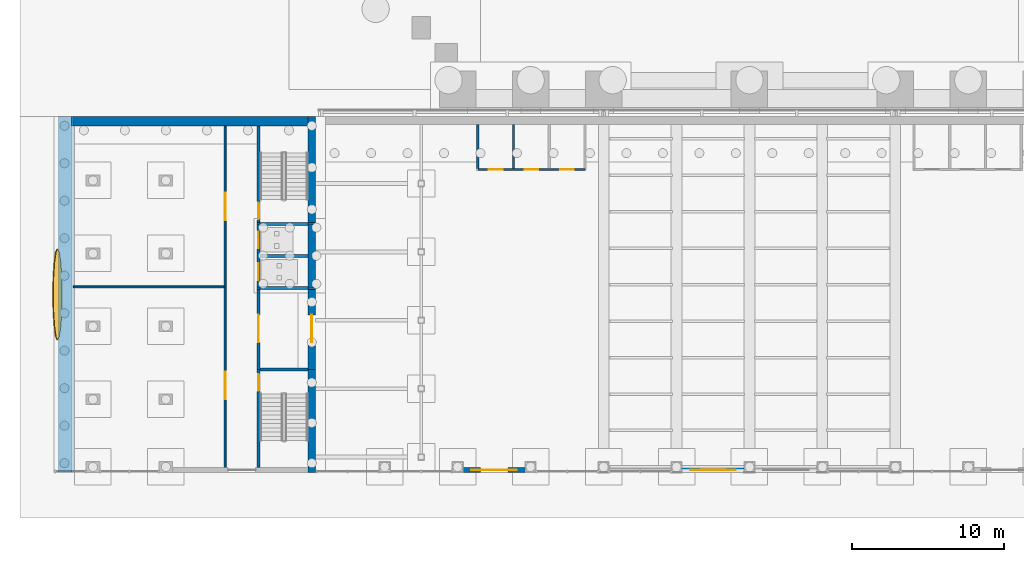
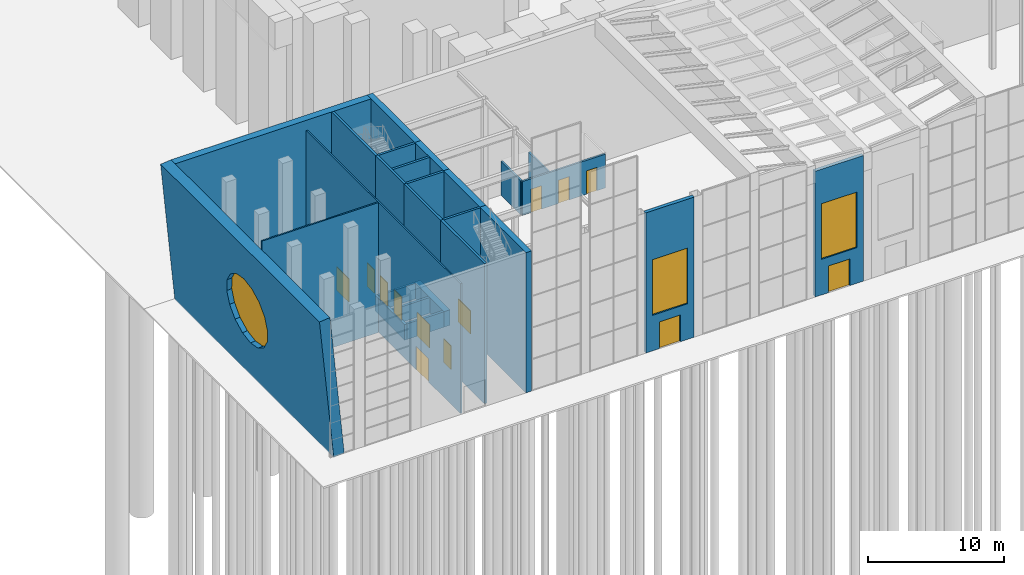
# One storey, part 44 of 58: 26 walls, 13 doors, 3 windows, 16 openings.
"""IFC4 building model written with IfcOpenShell, lengths in metres."""

from ifc_helpers import new_model, si_unit, direction, frame, frame_2d, origin, place, context, subcontext, project, spatial, polyline, rectangle, outline, extrude, material, layer, layer_set, type_object, element, fill, save


model = new_model("IFC4")

# Units and contexts
model_context = context("Model", 3, precision=1e-05, world=origin(), true_north=direction((0.0, 1.0)))
body_context = subcontext(model_context, "Body", "Model", "MODEL_VIEW")
ifc_project = project(units=[si_unit("LENGTHUNIT", "METRE"), si_unit("AREAUNIT", "SQUARE_METRE"), si_unit("VOLUMEUNIT", "CUBIC_METRE"), si_unit("PLANEANGLEUNIT", "RADIAN"), si_unit("MASSUNIT", "GRAM", prefix="KILO")], contexts=[model_context])

# Site, building, storey
site_placement = place(None, origin())
site = spatial("IfcSite", under=ifc_project, at=site_placement, CompositionType="ELEMENT")
building_placement = place(site_placement, origin())
building = spatial("IfcBuilding", under=site, at=building_placement, Name="Baori Bourse Tower", CompositionType="ELEMENT")
storey_placement = place(building_placement, origin())
storey = spatial("IfcBuildingStorey", under=building, at=storey_placement, Name="L00", CompositionType="ELEMENT", Elevation=0.0)

# Wall, openings, door, window
ifc_material_1 = material(Name="Concrete f'c 50 MPa", Category="concrete")
ifc_layer_1 = layer(ifc_material_1, 0.300048828125)
ifc_layer_set_1 = layer_set([ifc_layer_1], Name="Entrance wall 300")
wall_type_1 = type_object("IfcWallType", Name="Entrance wall 300", PredefinedType="SOLIDWALL", material=ifc_layer_set_1)
wall_1_placement = place(storey_placement, frame((14.050048828125, -25.050048828125, 0.0), z_axis=(0.0, 0.0, 1.0), x_axis=(-1.0, 0.0, 0.0)))
wall_1 = element("IfcWall", 1, at=wall_1_placement, inside=storey, type_object=wall_type_1, Name="wing/L00/entwall/001", PredefinedType="SOLIDWALL", context=body_context, shape_type="SweptSolid", body=[
    extrude(rectangle(XDim=4.10009765625, YDim=0.300048828125, at=frame_2d((2.050048828125, 0.0))), origin(), (0.0, 0.0, 1.0), 12.60009765625),
])
opening_1_placement = place(wall_1_placement, frame((1.14990234375, 0.0, 0.0)))
opening_1 = element("IfcOpeningElement", 2, at=opening_1_placement, cuts=wall_1, Name="Opening WGH-L00-01", PredefinedType="OPENING", context=body_context, shape_type="SweptSolid", body=[
    extrude(rectangle(XDim=1.800048828125, YDim=2.39990234375, at=frame_2d((0.89990234375, 1.199951171875))), frame((0.0, 0.159912109375, 0.0), z_axis=(0.0, -1.0, 0.0), x_axis=(1.0, 0.0, 0.0)), (0.0, 0.0, 1.0), 0.320068359375),
])
opening_2_placement = place(wall_1_placement, frame((0.550048828125, 0.0, 3.199951171875)))
opening_2 = element("IfcOpeningElement", 3, at=opening_2_placement, cuts=wall_1, Name="Opening WGHW-2", PredefinedType="OPENING", context=body_context, shape_type="SweptSolid", body=[
    extrude(rectangle(XDim=3.0, YDim=5.0, at=frame_2d((1.5, 2.5))), frame((0.0, 0.159912109375, 0.0), z_axis=(0.0, -1.0, 0.0), x_axis=(1.0, 0.0, 0.0)), (0.0, 0.0, 1.0), 0.320068359375),
])
ifc_material_2 = material(Name="Aluminium and glass door", Category="aluminium")
door_type_1 = type_object("IfcDoorType", Name="Entrance door 1800x2400", OperationType="DOUBLE_DOOR_SINGLE_SWING", PredefinedType="DOOR", material=ifc_material_2)
door_1_placement = place(opening_1_placement, origin())
door_1 = element("IfcDoor", 4, at=door_1_placement, inside=storey, type_object=door_type_1, Name="WGH-L00-01", OperationType="DOUBLE_DOOR_SINGLE_SWING", OverallHeight=2.39990234375, OverallWidth=1.800048828125, PredefinedType="DOOR", context=body_context, shape_type="SweptSolid", body=[
    extrude(rectangle(XDim=1.800048828125, YDim=2.39990234375, at=frame_2d((0.89990234375, 1.199951171875))), frame((0.0, 0.02490234375, 0.0), z_axis=(0.0, -1.0, 0.0), x_axis=(1.0, 0.0, 0.0)), (0.0, 0.0, 1.0), 0.050048828125),
])
fill(opening_1, door_1)
ifc_material_3 = material(Name="Clear glass", Category="glass")
window_type_1 = type_object("IfcWindowType", Name="Entrance transom window 3000", PartitioningType="SINGLE_PANEL", PredefinedType="WINDOW", material=ifc_material_3)
window_1_placement = place(opening_2_placement, origin())
window_1 = element("IfcWindow", 5, at=window_1_placement, inside=storey, type_object=window_type_1, Name="WGHW-2", OverallHeight=5.0, OverallWidth=3.0, PartitioningType="SINGLE_PANEL", PredefinedType="WINDOW", context=body_context, shape_type="SweptSolid", body=[
    extrude(rectangle(XDim=3.0, YDim=5.0, at=frame_2d((1.5, 2.5))), frame((0.0, 0.030029296875, 0.0), z_axis=(0.0, -1.0, 0.0), x_axis=(1.0, 0.0, 0.0)), (0.0, 0.0, 1.0), 0.06005859375),
])
fill(opening_2, window_1)

wall_2_placement = place(storey_placement, frame((28.449951171875, -25.050048828125, 0.0), z_axis=(0.0, 0.0, 1.0), x_axis=(-1.0, 0.0, 0.0)))
wall_2 = element("IfcWall", 6, at=wall_2_placement, inside=storey, type_object=wall_type_1, Name="wing/L00/entwall/002", PredefinedType="SOLIDWALL", context=body_context, shape_type="SweptSolid", body=[
    extrude(rectangle(XDim=4.099853515625, YDim=0.300048828125, at=frame_2d((2.0498046875, 0.0))), origin(), (0.0, 0.0, 1.0), 11.300048828125),
])
opening_3_placement = place(wall_2_placement, frame((1.14990234375, 0.0, 0.0)))
opening_3 = element("IfcOpeningElement", 7, at=opening_3_placement, cuts=wall_2, Name="Opening WGH-L00-02", PredefinedType="OPENING", context=body_context, shape_type="SweptSolid", body=[
    extrude(rectangle(XDim=1.800048828125, YDim=2.39990234375, at=frame_2d((0.89990234375, 1.199951171875))), frame((0.0, 0.159912109375, 0.0), z_axis=(0.0, -1.0, 0.0), x_axis=(1.0, 0.0, 0.0)), (0.0, 0.0, 1.0), 0.320068359375),
])
opening_4_placement = place(wall_2_placement, frame((0.550048828125, 0.0, 3.199951171875)))
opening_4 = element("IfcOpeningElement", 8, at=opening_4_placement, cuts=wall_2, Name="Opening WGHW-5", PredefinedType="OPENING", context=body_context, shape_type="SweptSolid", body=[
    extrude(rectangle(XDim=3.0, YDim=5.0, at=frame_2d((1.5, 2.5))), frame((0.0, 0.159912109375, 0.0), z_axis=(0.0, -1.0, 0.0), x_axis=(1.0, 0.0, 0.0)), (0.0, 0.0, 1.0), 0.320068359375),
])
door_2_placement = place(opening_3_placement, origin())
door_2 = element("IfcDoor", 9, at=door_2_placement, inside=storey, type_object=door_type_1, Name="WGH-L00-02", OperationType="DOUBLE_DOOR_SINGLE_SWING", OverallHeight=2.39990234375, OverallWidth=1.800048828125, PredefinedType="DOOR", context=body_context, shape_type="SweptSolid", body=[
    extrude(rectangle(XDim=1.800048828125, YDim=2.39990234375, at=frame_2d((0.89990234375, 1.199951171875))), frame((0.0, 0.02490234375, 0.0), z_axis=(0.0, -1.0, 0.0), x_axis=(1.0, 0.0, 0.0)), (0.0, 0.0, 1.0), 0.050048828125),
])
fill(opening_3, door_2)
window_2_placement = place(opening_4_placement, origin())
window_2 = element("IfcWindow", 10, at=window_2_placement, inside=storey, type_object=window_type_1, Name="WGHW-5", OverallHeight=5.0, OverallWidth=3.0, PartitioningType="SINGLE_PANEL", PredefinedType="WINDOW", context=body_context, shape_type="SweptSolid", body=[
    extrude(rectangle(XDim=3.0, YDim=5.0, at=frame_2d((1.5, 2.5))), frame((0.0, 0.030029296875, 0.0), z_axis=(0.0, -1.0, 0.0), x_axis=(1.0, 0.0, 0.0)), (0.0, 0.0, 1.0), 0.06005859375),
])
fill(opening_4, window_2)

# Walls
ifc_material_4 = material(Name="Concrete f'c 50 MPa", Category="concrete")
ifc_layer_2 = layer(ifc_material_4, 0.5)
ifc_layer_set_2 = layer_set([ifc_layer_2], Name="Hall end wall 500")
wall_type_2 = type_object("IfcWallType", Name="Hall end wall 500", PredefinedType="SOLIDWALL", material=ifc_layer_set_2)
wall_3_placement = place(storey_placement, frame((0.0, -1.800048828125, 0.0), z_axis=(0.0, 0.0, 1.0), x_axis=(0.0, -1.0, 0.0)))
element("IfcWall", 11, at=wall_3_placement, inside=storey, type_object=wall_type_2, Name="wing/L00/Whallwall/001", PredefinedType="SOLIDWALL", context=body_context, shape_type="SweptSolid", body=[
    extrude(rectangle(XDim=7.06005859375, YDim=0.5, at=frame_2d((3.530029296875, 0.0))), origin(), (0.0, 0.0, 1.0), 12.60009765625),
])
wall_4_placement = place(storey_placement, frame((0.0, -8.860107421875, 0.0), z_axis=(0.0, 0.0, 1.0), x_axis=(0.0, -1.0, 0.0)))
element("IfcWall", 12, at=wall_4_placement, inside=storey, type_object=wall_type_2, Name="wing/L00/Whallwall/002", PredefinedType="SOLIDWALL", context=body_context, shape_type="SweptSolid", body=[
    extrude(rectangle(XDim=4.199951171875, YDim=0.5, at=frame_2d((2.10009765625, 0.0))), origin(), (0.0, 0.0, 1.0), 12.60009765625),
])

# Wall, opening, door
wall_5_placement = place(storey_placement, frame((0.0, -13.06005859375, 0.0), z_axis=(0.0, 0.0, 1.0), x_axis=(0.0, -1.0, 0.0)))
wall_5 = element("IfcWall", 13, at=wall_5_placement, inside=storey, type_object=wall_type_2, Name="wing/L00/Whallwall/003", PredefinedType="SOLIDWALL", context=body_context, shape_type="SweptSolid", body=[
    extrude(rectangle(XDim=5.3798828125, YDim=0.5, at=frame_2d((2.68994140625, 0.0))), origin(), (0.0, 0.0, 1.0), 12.60009765625),
])
opening_5_placement = place(wall_5_placement, frame((1.7900390625, 0.0, 0.0)))
opening_5 = element("IfcOpeningElement", 14, at=opening_5_placement, cuts=wall_5, Name="Opening WGW-L00-06", PredefinedType="OPENING", context=body_context, shape_type="SweptSolid", body=[
    extrude(rectangle(XDim=1.800048828125, YDim=2.10009765625, at=frame_2d((0.89990234375, 1.050048828125))), frame((0.0, 0.260009765625, 0.0), z_axis=(0.0, -1.0, 0.0), x_axis=(1.0, 0.0, 0.0)), (0.0, 0.0, 1.0), 0.52001953125),
])
ifc_material_5 = material(Name="Timber door", Category="wood")
door_type_2 = type_object("IfcDoorType", Name="Wing double door 1800x2100", OperationType="DOUBLE_DOOR_SINGLE_SWING", PredefinedType="DOOR", material=ifc_material_5)
door_3_placement = place(opening_5_placement, origin())
door_3 = element("IfcDoor", 15, at=door_3_placement, inside=storey, type_object=door_type_2, Name="WGW-L00-06", OperationType="DOUBLE_DOOR_SINGLE_SWING", OverallHeight=2.10009765625, OverallWidth=1.800048828125, PredefinedType="DOOR", context=body_context, shape_type="SweptSolid", body=[
    extrude(rectangle(XDim=1.800048828125, YDim=2.10009765625, at=frame_2d((0.89990234375, 1.050048828125))), frame((0.0, 0.02490234375, 0.0), z_axis=(0.0, -1.0, 0.0), x_axis=(1.0, 0.0, 0.0)), (0.0, 0.0, 1.0), 0.050048828125),
])
fill(opening_5, door_3)

# Walls
wall_6_placement = place(storey_placement, frame((0.0, -18.43994140625, 0.0), z_axis=(0.0, 0.0, 1.0), x_axis=(0.0, -1.0, 0.0)))
element("IfcWall", 16, at=wall_6_placement, inside=storey, type_object=wall_type_2, Name="wing/L00/Whallwall/004", PredefinedType="SOLIDWALL", context=body_context, shape_type="SweptSolid", body=[
    extrude(rectangle(XDim=6.760009765625, YDim=0.5, at=frame_2d((3.3798828125, 0.0))), origin(), (0.0, 0.0, 1.0), 12.60009765625),
])
wall_7_placement = place(storey_placement, frame((0.0, -8.760009765625, -1.39990234375), z_axis=(0.0, 0.0, 1.0), x_axis=(0.0, -1.0, 0.0)))
element("IfcWall", 17, at=wall_7_placement, inside=storey, type_object=wall_type_2, Name="wing/L00/Wpitwall/005", PredefinedType="SOLIDWALL", context=body_context, shape_type="SweptSolid", body=[
    extrude(rectangle(XDim=4.39990234375, YDim=0.5, at=frame_2d((2.199951171875, 0.0))), origin(), (0.0, 0.0, 1.0), 1.39990234375),
])

# Wall, opening, window
ifc_material_6 = material(Name="Concrete f'c 50 MPa", Category="concrete")
ifc_layer_3 = layer(ifc_material_6, 0.89990234375)
ifc_layer_set_3 = layer_set([ifc_layer_3], Name="Leaning end wall 900")
wall_type_3 = type_object("IfcWallType", Name="Leaning end wall 900", PredefinedType="SOLIDWALL", material=ifc_layer_set_3)
wall_8_placement = place(storey_placement, frame((-15.689208984375, -25.199951171875, 0.0), z_axis=(0.9953952374, 0.0, 0.095855732026), x_axis=(0.0, 1.0, 0.0)))
wall_8 = element("IfcWall", 18, at=wall_8_placement, inside=storey, type_object=wall_type_3, Name="wing/L00/Wleanwall/001", PredefinedType="SOLIDWALL", context=body_context, shape_type="SweptSolid", body=[
    extrude(outline(polyline([(0.0, 0.0), (23.39990234375, 0.0), (23.39990234375, 12.658386521084319), (0.0, 12.658386521084319), (0.0, 0.0)])), origin(), (0.0, 0.0, -1.0), 0.89990234375),
])
opening_6_placement = place(wall_8_placement, frame((0.0, 0.0, 0.010009765625)))
opening_6 = element("IfcOpeningElement", 19, at=opening_6_placement, cuts=wall_8, Name="Opening WGRW-W", PredefinedType="OPENING", context=body_context, shape_type="SweptSolid", body=[
    extrude(outline(polyline([(14.699951171875, 6.3291932605421595), (14.4716796875, 7.477307528464802), (13.8212890625, 8.450536335016425), (12.847900390625, 9.100740433164109), (11.699951171875, 9.329094920932993), (10.552001953125, 9.100740433164109), (9.57861328125, 8.450536335016425), (8.92822265625, 7.477307528464802), (8.699951171875, 6.3291932605421595), (8.92822265625, 5.1810789926195175), (9.57861328125, 4.207850186067893), (10.552001953125, 3.55740307150483), (11.699951171875, 3.3290485837359465), (12.847900390625, 3.55740307150483), (13.8212890625, 4.207850186067893), (14.4716796875, 5.1810789926195175), (14.699951171875, 6.3291932605421595)])), origin(), (0.0, 0.0, -1.0), 0.919921875),
])
ifc_material_7 = material(Name="Clear glass", Category="glass")
window_type_2 = type_object("IfcWindowType", Name="Round end window 6000", PartitioningType="SINGLE_PANEL", PredefinedType="WINDOW", material=ifc_material_7)
window_3_placement = place(opening_6_placement, frame((0.0, 0.0, -0.429931640625)))
window_3 = element("IfcWindow", 20, at=window_3_placement, inside=storey, type_object=window_type_2, Name="WGRW-W", OverallHeight=6.0, OverallWidth=6.0, PartitioningType="SINGLE_PANEL", PredefinedType="WINDOW", context=body_context, shape_type="SweptSolid", body=[
    extrude(outline(polyline([(14.699951171875, 6.3291932605421595), (14.4716796875, 7.477307528464802), (13.8212890625, 8.450536335016425), (12.847900390625, 9.100740433164109), (11.699951171875, 9.329094920932993), (10.552001953125, 9.100740433164109), (9.57861328125, 8.450536335016425), (8.92822265625, 7.477307528464802), (8.699951171875, 6.3291932605421595), (8.92822265625, 5.1810789926195175), (9.57861328125, 4.207850186067893), (10.552001953125, 3.55740307150483), (11.699951171875, 3.3290485837359465), (12.847900390625, 3.55740307150483), (13.8212890625, 4.207850186067893), (14.4716796875, 5.1810789926195175), (14.699951171875, 6.3291932605421595)])), origin(), (0.0, 0.0, -1.0), 0.06005859375),
])
fill(opening_6, window_3)

# Wall, opening, door
ifc_material_8 = material(Name="Concrete f'c 50 MPa", Category="concrete")
ifc_layer_4 = layer(ifc_material_8, 0.199951171875)
ifc_layer_set_4 = layer_set([ifc_layer_4], Name="Shaft wall 200")
wall_type_4 = type_object("IfcWallType", Name="Shaft wall 200", PredefinedType="SOLIDWALL", material=ifc_layer_set_4)
wall_9_placement = place(storey_placement, frame((-3.5, -2.39990234375, 0.0), z_axis=(0.0, 0.0, 1.0), x_axis=(0.0, -1.0, 0.0)))
wall_9 = element("IfcWall", 21, at=wall_9_placement, inside=storey, type_object=wall_type_4, Name="wing/L00/WcorrwallE/001", PredefinedType="SOLIDWALL", context=body_context, shape_type="SweptSolid", body=[
    extrude(rectangle(XDim=6.460205078125, YDim=0.199951171875, at=frame_2d((3.22998046875, 0.0))), origin(), (0.0, 0.0, 1.0), 12.60009765625),
])
opening_7_placement = place(wall_9_placement, frame((5.050048828125, 0.0, 0.0)))
opening_7 = element("IfcOpeningElement", 22, at=opening_7_placement, cuts=wall_9, Name="Opening WGW-L00-01", PredefinedType="OPENING", context=body_context, shape_type="SweptSolid", body=[
    extrude(rectangle(XDim=1.10009765625, YDim=2.10009765625, at=frame_2d((0.550048828125, 1.050048828125))), frame((0.0, 0.10986328125, 0.0), z_axis=(0.0, -1.0, 0.0), x_axis=(1.0, 0.0, 0.0)), (0.0, 0.0, 1.0), 0.219970703125),
])
ifc_material_9 = material(Name="Steel fire door", Category="steel")
door_type_3 = type_object("IfcDoorType", Name="Wing stair door 1100", OperationType="SINGLE_SWING_LEFT", PredefinedType="DOOR", material=ifc_material_9)
door_4_placement = place(opening_7_placement, origin())
door_4 = element("IfcDoor", 23, at=door_4_placement, inside=storey, type_object=door_type_3, Name="WGW-L00-01", OperationType="SINGLE_SWING_LEFT", OverallHeight=2.10009765625, OverallWidth=1.10009765625, PredefinedType="DOOR", context=body_context, shape_type="SweptSolid", body=[
    extrude(rectangle(XDim=1.10009765625, YDim=2.10009765625, at=frame_2d((0.550048828125, 1.050048828125))), frame((0.0, 0.02490234375, 0.0), z_axis=(0.0, -1.0, 0.0), x_axis=(1.0, 0.0, 0.0)), (0.0, 0.0, 1.0), 0.050048828125),
])
fill(opening_7, door_4)

# Wall, openings, doors
wall_10_placement = place(storey_placement, frame((-3.5, -8.860107421875, 0.0), z_axis=(0.0, 0.0, 1.0), x_axis=(0.0, -1.0, 0.0)))
wall_10 = element("IfcWall", 24, at=wall_10_placement, inside=storey, type_object=wall_type_4, Name="wing/L00/WcorrwallE/002", PredefinedType="SOLIDWALL", context=body_context, shape_type="SweptSolid", body=[
    extrude(rectangle(XDim=4.199951171875, YDim=0.199951171875, at=frame_2d((2.10009765625, 0.0))), origin(), (0.0, 0.0, 1.0), 12.60009765625),
])
opening_8_placement = place(wall_10_placement, frame((0.5, 0.0, 0.0)))
opening_8 = element("IfcOpeningElement", 25, at=opening_8_placement, cuts=wall_10, Name="Opening LD-W-L00-P", PredefinedType="OPENING", context=body_context, shape_type="SweptSolid", body=[
    extrude(rectangle(XDim=1.10009765625, YDim=2.10009765625, at=frame_2d((0.550048828125, 1.050048828125))), frame((0.0, 0.10986328125, 0.0), z_axis=(0.0, -1.0, 0.0), x_axis=(1.0, 0.0, 0.0)), (0.0, 0.0, 1.0), 0.219970703125),
])
opening_9_placement = place(wall_10_placement, frame((2.60009765625, 0.0, 0.0)))
opening_9 = element("IfcOpeningElement", 26, at=opening_9_placement, cuts=wall_10, Name="Opening LD-W-L00-S", PredefinedType="OPENING", context=body_context, shape_type="SweptSolid", body=[
    extrude(rectangle(XDim=1.10009765625, YDim=2.10009765625, at=frame_2d((0.550048828125, 1.050048828125))), frame((0.0, 0.10986328125, 0.0), z_axis=(0.0, -1.0, 0.0), x_axis=(1.0, 0.0, 0.0)), (0.0, 0.0, 1.0), 0.219970703125),
])
ifc_material_10 = material(Name="Stainless steel door", Category="steel")
door_type_4 = type_object("IfcDoorType", Name="Lift landing door 1100", OperationType="SLIDING_TO_LEFT", PredefinedType="DOOR", material=ifc_material_10)
door_5_placement = place(opening_8_placement, origin())
door_5 = element("IfcDoor", 27, at=door_5_placement, inside=storey, type_object=door_type_4, Name="LD-W-L00-P", OperationType="SLIDING_TO_LEFT", OverallHeight=2.10009765625, OverallWidth=1.10009765625, PredefinedType="DOOR", context=body_context, shape_type="SweptSolid", body=[
    extrude(rectangle(XDim=1.10009765625, YDim=2.10009765625, at=frame_2d((0.550048828125, 1.050048828125))), frame((0.0, 0.02490234375, 0.0), z_axis=(0.0, -1.0, 0.0), x_axis=(1.0, 0.0, 0.0)), (0.0, 0.0, 1.0), 0.050048828125),
])
fill(opening_8, door_5)
door_6_placement = place(opening_9_placement, origin())
door_6 = element("IfcDoor", 28, at=door_6_placement, inside=storey, type_object=door_type_4, Name="LD-W-L00-S", OperationType="SLIDING_TO_LEFT", OverallHeight=2.10009765625, OverallWidth=1.10009765625, PredefinedType="DOOR", context=body_context, shape_type="SweptSolid", body=[
    extrude(rectangle(XDim=1.10009765625, YDim=2.10009765625, at=frame_2d((0.550048828125, 1.050048828125))), frame((0.0, 0.02490234375, 0.0), z_axis=(0.0, -1.0, 0.0), x_axis=(1.0, 0.0, 0.0)), (0.0, 0.0, 1.0), 0.050048828125),
])
fill(opening_9, door_6)

# Wall, opening, door
wall_11_placement = place(storey_placement, frame((-3.5, -13.06005859375, 0.0), z_axis=(0.0, 0.0, 1.0), x_axis=(0.0, -1.0, 0.0)))
wall_11 = element("IfcWall", 29, at=wall_11_placement, inside=storey, type_object=wall_type_4, Name="wing/L00/WcorrwallE/003", PredefinedType="SOLIDWALL", context=body_context, shape_type="SweptSolid", body=[
    extrude(rectangle(XDim=5.3798828125, YDim=0.199951171875, at=frame_2d((2.68994140625, 0.0))), origin(), (0.0, 0.0, 1.0), 12.60009765625),
])
opening_10_placement = place(wall_11_placement, frame((1.7900390625, 0.0, 0.0)))
opening_10 = element("IfcOpeningElement", 30, at=opening_10_placement, cuts=wall_11, Name="Opening WGW-L00-05", PredefinedType="OPENING", context=body_context, shape_type="SweptSolid", body=[
    extrude(rectangle(XDim=1.800048828125, YDim=2.10009765625, at=frame_2d((0.89990234375, 1.050048828125))), frame((0.0, 0.10986328125, 0.0), z_axis=(0.0, -1.0, 0.0), x_axis=(1.0, 0.0, 0.0)), (0.0, 0.0, 1.0), 0.219970703125),
])
door_7_placement = place(opening_10_placement, origin())
door_7 = element("IfcDoor", 31, at=door_7_placement, inside=storey, type_object=door_type_2, Name="WGW-L00-05", OperationType="DOUBLE_DOOR_SINGLE_SWING", OverallHeight=2.10009765625, OverallWidth=1.800048828125, PredefinedType="DOOR", context=body_context, shape_type="SweptSolid", body=[
    extrude(rectangle(XDim=1.800048828125, YDim=2.10009765625, at=frame_2d((0.89990234375, 1.050048828125))), frame((0.0, 0.02490234375, 0.0), z_axis=(0.0, -1.0, 0.0), x_axis=(1.0, 0.0, 0.0)), (0.0, 0.0, 1.0), 0.050048828125),
])
fill(opening_10, door_7)

wall_12_placement = place(storey_placement, frame((-3.5, -18.43994140625, 0.0), z_axis=(0.0, 0.0, 1.0), x_axis=(0.0, -1.0, 0.0)))
wall_12 = element("IfcWall", 32, at=wall_12_placement, inside=storey, type_object=wall_type_4, Name="wing/L00/WcorrwallE/004", PredefinedType="SOLIDWALL", context=body_context, shape_type="SweptSolid", body=[
    extrude(rectangle(XDim=6.4599609375, YDim=0.199951171875, at=frame_2d((3.22998046875, 0.0))), origin(), (0.0, 0.0, 1.0), 12.60009765625),
])
opening_11_placement = place(wall_12_placement, frame((0.300048828125, 0.0, 0.0)))
opening_11 = element("IfcOpeningElement", 33, at=opening_11_placement, cuts=wall_12, Name="Opening WGW-L00-02", PredefinedType="OPENING", context=body_context, shape_type="SweptSolid", body=[
    extrude(rectangle(XDim=1.10009765625, YDim=2.10009765625, at=frame_2d((0.550048828125, 1.050048828125))), frame((0.0, 0.10986328125, 0.0), z_axis=(0.0, -1.0, 0.0), x_axis=(1.0, 0.0, 0.0)), (0.0, 0.0, 1.0), 0.219970703125),
])
door_8_placement = place(opening_11_placement, origin())
door_8 = element("IfcDoor", 34, at=door_8_placement, inside=storey, type_object=door_type_3, Name="WGW-L00-02", OperationType="SINGLE_SWING_LEFT", OverallHeight=2.10009765625, OverallWidth=1.10009765625, PredefinedType="DOOR", context=body_context, shape_type="SweptSolid", body=[
    extrude(rectangle(XDim=1.10009765625, YDim=2.10009765625, at=frame_2d((0.550048828125, 1.050048828125))), frame((0.0, 0.02490234375, 0.0), z_axis=(0.0, -1.0, 0.0), x_axis=(1.0, 0.0, 0.0)), (0.0, 0.0, 1.0), 0.050048828125),
])
fill(opening_11, door_8)

# Walls
for number, where, z_axis, x_axis, name in (
    (35, (-3.39990234375, -8.860107421875, 0.0), (0.0, 0.0, 1.0), (1.0, 0.0, 0.0), "wing/L00/Wshaftwall/001"),
    (36, (-3.39990234375, -10.9599609375, 0.0), (0.0, 0.0, 1.0), (1.0, 0.0, 0.0), "wing/L00/Wshaftwall/002"),
    (37, (-3.39990234375, -13.06005859375, 0.0), (0.0, 0.0, 1.0), (1.0, 0.0, 0.0), "wing/L00/Wshaftwall/003"),
    (38, (-3.39990234375, -18.43994140625, 0.0), (0.0, 0.0, 1.0), (1.0, 0.0, 0.0), "wing/L00/Wshaftwall/004"),
):
    element("IfcWall", number, at=place(storey_placement, frame(where, z_axis=z_axis, x_axis=x_axis)), inside=storey, type_object=wall_type_4, Name=name, PredefinedType="SOLIDWALL", context=body_context, shape_type="SweptSolid", body=[
        extrude(rectangle(XDim=3.14990234375, YDim=0.199951171875, at=frame_2d((1.574951171875, 0.0))), origin(), (0.0, 0.0, 1.0), 12.60009765625),
    ])
wall_13_placement = place(storey_placement, frame((-3.5, -8.760009765625, -1.39990234375), z_axis=(0.0, 0.0, 1.0), x_axis=(0.0, -1.0, 0.0)))
element("IfcWall", 39, at=wall_13_placement, inside=storey, type_object=wall_type_4, Name="wing/L00/Wpitwall/001", PredefinedType="SOLIDWALL", context=body_context, shape_type="SweptSolid", body=[
    extrude(rectangle(XDim=4.39990234375, YDim=0.199951171875, at=frame_2d((2.199951171875, 0.0))), origin(), (0.0, 0.0, 1.0), 1.39990234375),
])
for number, where, z_axis, x_axis, name in (
    (40, (-3.39990234375, -8.860107421875, -1.39990234375), (0.0, 0.0, 1.0), (1.0, 0.0, 0.0), "wing/L00/Wpitwall/002"),
    (41, (-3.39990234375, -10.9599609375, -1.39990234375), (0.0, 0.0, 1.0), (1.0, 0.0, 0.0), "wing/L00/Wpitwall/003"),
    (42, (-3.39990234375, -13.06005859375, -1.39990234375), (0.0, 0.0, 1.0), (1.0, 0.0, 0.0), "wing/L00/Wpitwall/004"),
):
    element("IfcWall", number, at=place(storey_placement, frame(where, z_axis=z_axis, x_axis=x_axis)), inside=storey, type_object=wall_type_4, Name=name, PredefinedType="SOLIDWALL", context=body_context, shape_type="SweptSolid", body=[
        extrude(rectangle(XDim=3.14990234375, YDim=0.199951171875, at=frame_2d((1.574951171875, 0.0))), origin(), (0.0, 0.0, 1.0), 1.39990234375),
    ])

# Wall, openings, doors
ifc_material_11 = material(Name="Reinforced masonry f'm 20 MPa", Category="masonry")
ifc_layer_5 = layer(ifc_material_11, 0.14990234375)
ifc_layer_set_5 = layer_set([ifc_layer_5], Name="Toilet pod wall 150")
wall_type_5 = type_object("IfcWallType", Name="Toilet pod wall 150", PredefinedType="SOLIDWALL", material=ifc_layer_set_5)
wall_14_placement = place(storey_placement, frame((17.97509765625, -5.27490234375, 0.0), z_axis=(0.0, 0.0, 1.0), x_axis=(-1.0, 0.0, 0.0)))
wall_14 = element("IfcWall", 43, at=wall_14_placement, inside=storey, type_object=wall_type_5, Name="wing/L00/podwall/001", PredefinedType="SOLIDWALL", context=body_context, shape_type="SweptSolid", body=[
    extrude(rectangle(XDim=7.050048828125, YDim=0.14990234375, at=frame_2d((3.52490234375, 0.0))), origin(), (0.0, 0.0, 1.0), 3.050048828125),
])
opening_12_placement = place(wall_14_placement, frame((5.425048828125, 0.0, 0.0)))
opening_12 = element("IfcOpeningElement", 44, at=opening_12_placement, cuts=wall_14, Name="Opening WGH-L00-T01", PredefinedType="OPENING", context=body_context, shape_type="SweptSolid", body=[
    extrude(rectangle(XDim=0.89990234375, YDim=2.10009765625, at=frame_2d((0.449951171875, 1.050048828125))), frame((0.0, 0.0849609375, 0.0), z_axis=(0.0, -1.0, 0.0), x_axis=(1.0, 0.0, 0.0)), (0.0, 0.0, 1.0), 0.169921875),
])
opening_13_placement = place(wall_14_placement, frame((3.074951171875, 0.0, 0.0)))
opening_13 = element("IfcOpeningElement", 45, at=opening_13_placement, cuts=wall_14, Name="Opening WGH-L00-T02", PredefinedType="OPENING", context=body_context, shape_type="SweptSolid", body=[
    extrude(rectangle(XDim=0.89990234375, YDim=2.10009765625, at=frame_2d((0.449951171875, 1.050048828125))), frame((0.0, 0.0849609375, 0.0), z_axis=(0.0, -1.0, 0.0), x_axis=(1.0, 0.0, 0.0)), (0.0, 0.0, 1.0), 0.169921875),
])
opening_14_placement = place(wall_14_placement, frame((0.72509765625, 0.0, 0.0)))
opening_14 = element("IfcOpeningElement", 46, at=opening_14_placement, cuts=wall_14, Name="Opening WGH-L00-T03", PredefinedType="OPENING", context=body_context, shape_type="SweptSolid", body=[
    extrude(rectangle(XDim=0.89990234375, YDim=2.10009765625, at=frame_2d((0.449951171875, 1.050048828125))), frame((0.0, 0.0849609375, 0.0), z_axis=(0.0, -1.0, 0.0), x_axis=(1.0, 0.0, 0.0)), (0.0, 0.0, 1.0), 0.169921875),
])
ifc_material_12 = material(Name="Timber door", Category="wood")
door_type_5 = type_object("IfcDoorType", Name="Wing toilet door 900x2100", OperationType="SINGLE_SWING_LEFT", PredefinedType="DOOR", material=ifc_material_12)
door_9_placement = place(opening_12_placement, origin())
door_9 = element("IfcDoor", 47, at=door_9_placement, inside=storey, type_object=door_type_5, Name="WGH-L00-T01", OperationType="SINGLE_SWING_LEFT", OverallHeight=2.10009765625, OverallWidth=0.89990234375, PredefinedType="DOOR", context=body_context, shape_type="SweptSolid", body=[
    extrude(rectangle(XDim=0.89990234375, YDim=2.10009765625, at=frame_2d((0.449951171875, 1.050048828125))), frame((0.0, 0.02490234375, 0.0), z_axis=(0.0, -1.0, 0.0), x_axis=(1.0, 0.0, 0.0)), (0.0, 0.0, 1.0), 0.050048828125),
])
fill(opening_12, door_9)
door_10_placement = place(opening_13_placement, origin())
door_10 = element("IfcDoor", 48, at=door_10_placement, inside=storey, type_object=door_type_5, Name="WGH-L00-T02", OperationType="SINGLE_SWING_LEFT", OverallHeight=2.10009765625, OverallWidth=0.89990234375, PredefinedType="DOOR", context=body_context, shape_type="SweptSolid", body=[
    extrude(rectangle(XDim=0.89990234375, YDim=2.10009765625, at=frame_2d((0.449951171875, 1.050048828125))), frame((0.0, 0.02490234375, 0.0), z_axis=(0.0, -1.0, 0.0), x_axis=(1.0, 0.0, 0.0)), (0.0, 0.0, 1.0), 0.050048828125),
])
fill(opening_13, door_10)
door_11_placement = place(opening_14_placement, origin())
door_11 = element("IfcDoor", 49, at=door_11_placement, inside=storey, type_object=door_type_5, Name="WGH-L00-T03", OperationType="SINGLE_SWING_LEFT", OverallHeight=2.10009765625, OverallWidth=0.89990234375, PredefinedType="DOOR", context=body_context, shape_type="SweptSolid", body=[
    extrude(rectangle(XDim=0.89990234375, YDim=2.10009765625, at=frame_2d((0.449951171875, 1.050048828125))), frame((0.0, 0.02490234375, 0.0), z_axis=(0.0, -1.0, 0.0), x_axis=(1.0, 0.0, 0.0)), (0.0, 0.0, 1.0), 0.050048828125),
])
fill(opening_14, door_11)

# Walls
for number, where, z_axis, x_axis, name in (
    (50, (10.925048828125, -5.199951171875, 0.0), (0.0, 0.0, 1.0), (0.0, 1.0, 0.0), "wing/L00/podwall/002"),
    (51, (13.27490234375, -5.199951171875, 0.0), (0.0, 0.0, 1.0), (0.0, 1.0, 0.0), "wing/L00/podwall/003"),
):
    element("IfcWall", number, at=place(storey_placement, frame(where, z_axis=z_axis, x_axis=x_axis)), inside=storey, type_object=wall_type_5, Name=name, PredefinedType="SOLIDWALL", context=body_context, shape_type="SweptSolid", body=[
        extrude(rectangle(XDim=2.89990234375, YDim=0.14990234375, at=frame_2d((1.449951171875, 0.0))), origin(), (0.0, 0.0, 1.0), 3.050048828125),
    ])
ifc_material_13 = material(Name="Concrete f'c 50 MPa", Category="concrete")
ifc_layer_6 = layer(ifc_material_13, 0.60009765625)
ifc_layer_set_6 = layer_set([ifc_layer_6], Name="Wing north wall 600")
wall_type_6 = type_object("IfcWallType", Name="Wing north wall 600", PredefinedType="SOLIDWALL", material=ifc_layer_set_6)
wall_15_placement = place(storey_placement, frame((-0.25, -2.10009765625, 0.0), z_axis=(0.0, 0.0, 1.0), x_axis=(-1.0, 0.0, 0.0)))
element("IfcWall", 52, at=wall_15_placement, inside=storey, type_object=wall_type_6, Name="wing/L00/Wnorthwall/001", PredefinedType="SOLIDWALL", context=body_context, shape_type="SweptSolid", body=[
    extrude(outline(polyline([(0.0, 0.0), (15.439208984375, 0.0), (16.652587890625, 12.60009765625), (0.0, 12.60009765625), (0.0, 0.0)])), frame((0.0, 0.300048828125, 0.0), z_axis=(0.0, -1.0, 0.0), x_axis=(1.0, 0.0, 0.0)), (0.0, 0.0, 1.0), 0.60009765625),
])

# Wall, openings, doors
ifc_material_14 = material(Name="Gypsum board partition")
ifc_layer_7 = layer(ifc_material_14, 0.125)
ifc_layer_set_7 = layer_set([ifc_layer_7], Name="Wing partition 125")
wall_type_7 = type_object("IfcWallType", Name="Wing partition 125", PredefinedType="PARTITIONING", material=ifc_layer_set_7)
wall_16_placement = place(storey_placement, frame((-5.699951171875, -25.10009765625, 0.0), z_axis=(0.0, 0.0, 1.0), x_axis=(0.0, 1.0, 0.0)))
wall_16 = element("IfcWall", 53, at=wall_16_placement, inside=storey, type_object=wall_type_7, Name="wing/L00/WcorrwallW/001", PredefinedType="PARTITIONING", context=body_context, shape_type="SweptSolid", body=[
    extrude(rectangle(XDim=22.7001953125, YDim=0.125, at=frame_2d((11.35009765625, 0.0))), origin(), (0.0, 0.0, 1.0), 11.679931640625),
])
opening_15_placement = place(wall_16_placement, frame((16.5, 0.0, 0.0)))
opening_15 = element("IfcOpeningElement", 54, at=opening_15_placement, cuts=wall_16, Name="Opening WGW-L00-03", PredefinedType="OPENING", context=body_context, shape_type="SweptSolid", body=[
    extrude(rectangle(XDim=1.800048828125, YDim=2.10009765625, at=frame_2d((0.89990234375, 1.050048828125))), frame((0.0, 0.072509765625, 0.0), z_axis=(0.0, -1.0, 0.0), x_axis=(1.0, 0.0, 0.0)), (0.0, 0.0, 1.0), 0.14501953125),
])
opening_16_placement = place(wall_16_placement, frame((4.699951171875, 0.0, 0.0)))
opening_16 = element("IfcOpeningElement", 55, at=opening_16_placement, cuts=wall_16, Name="Opening WGW-L00-04", PredefinedType="OPENING", context=body_context, shape_type="SweptSolid", body=[
    extrude(rectangle(XDim=1.800048828125, YDim=2.10009765625, at=frame_2d((0.89990234375, 1.050048828125))), frame((0.0, 0.072509765625, 0.0), z_axis=(0.0, -1.0, 0.0), x_axis=(1.0, 0.0, 0.0)), (0.0, 0.0, 1.0), 0.14501953125),
])
door_12_placement = place(opening_15_placement, origin())
door_12 = element("IfcDoor", 56, at=door_12_placement, inside=storey, type_object=door_type_2, Name="WGW-L00-03", OperationType="DOUBLE_DOOR_SINGLE_SWING", OverallHeight=2.10009765625, OverallWidth=1.800048828125, PredefinedType="DOOR", context=body_context, shape_type="SweptSolid", body=[
    extrude(rectangle(XDim=1.800048828125, YDim=2.10009765625, at=frame_2d((0.89990234375, 1.050048828125))), frame((0.0, 0.02490234375, 0.0), z_axis=(0.0, -1.0, 0.0), x_axis=(1.0, 0.0, 0.0)), (0.0, 0.0, 1.0), 0.050048828125),
])
fill(opening_15, door_12)
door_13_placement = place(opening_16_placement, origin())
door_13 = element("IfcDoor", 57, at=door_13_placement, inside=storey, type_object=door_type_2, Name="WGW-L00-04", OperationType="DOUBLE_DOOR_SINGLE_SWING", OverallHeight=2.10009765625, OverallWidth=1.800048828125, PredefinedType="DOOR", context=body_context, shape_type="SweptSolid", body=[
    extrude(rectangle(XDim=1.800048828125, YDim=2.10009765625, at=frame_2d((0.89990234375, 1.050048828125))), frame((0.0, 0.02490234375, 0.0), z_axis=(0.0, -1.0, 0.0), x_axis=(1.0, 0.0, 0.0)), (0.0, 0.0, 1.0), 0.050048828125),
])
fill(opening_16, door_13)

# Wall
wall_17_placement = place(storey_placement, frame((-5.762451171875, -13.0, 0.0), z_axis=(0.0, 0.0, 1.0), x_axis=(-1.0, 0.0, 0.0)))
element("IfcWall", 58, at=wall_17_placement, inside=storey, type_object=wall_type_7, Name="wing/L00/Wmidwall/001", PredefinedType="PARTITIONING", context=body_context, shape_type="SweptSolid", body=[
    extrude(rectangle(XDim=9.9267578125, YDim=0.125, at=frame_2d((4.96337890625, 0.0))), origin(), (0.0, 0.0, 1.0), 11.679931640625),
])

save(model, "model.ifc")
